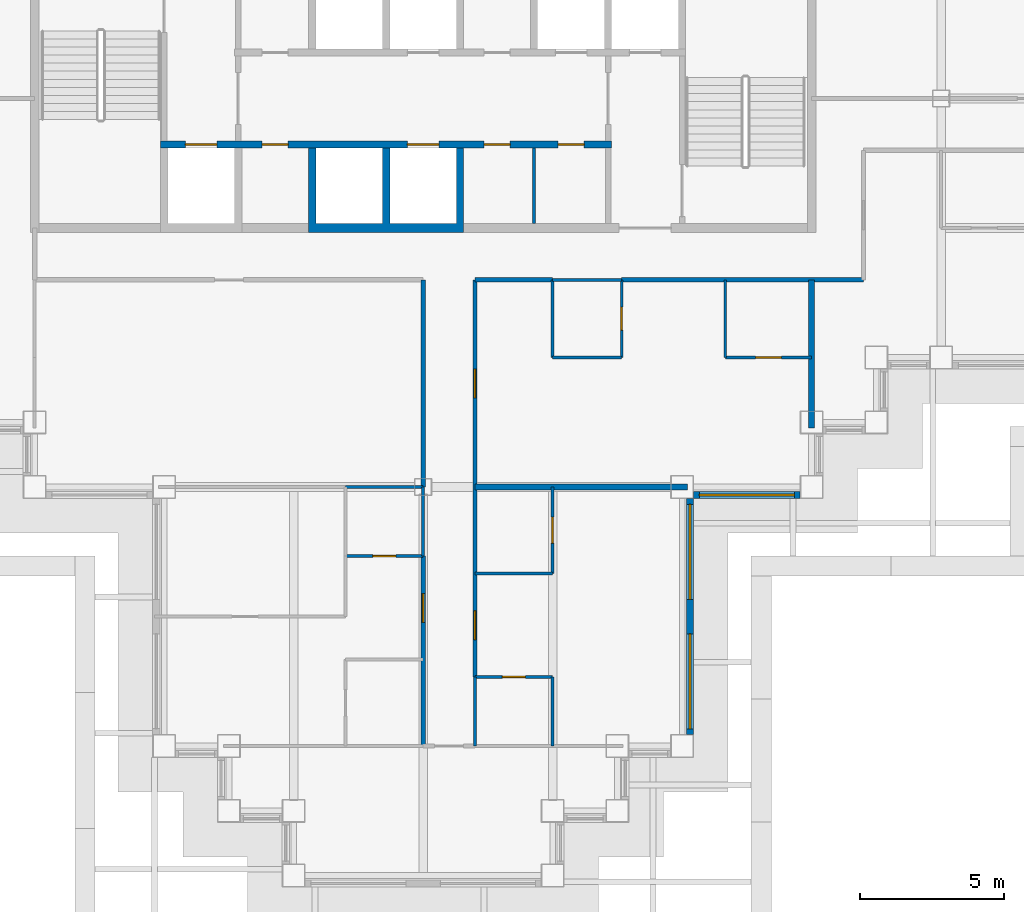
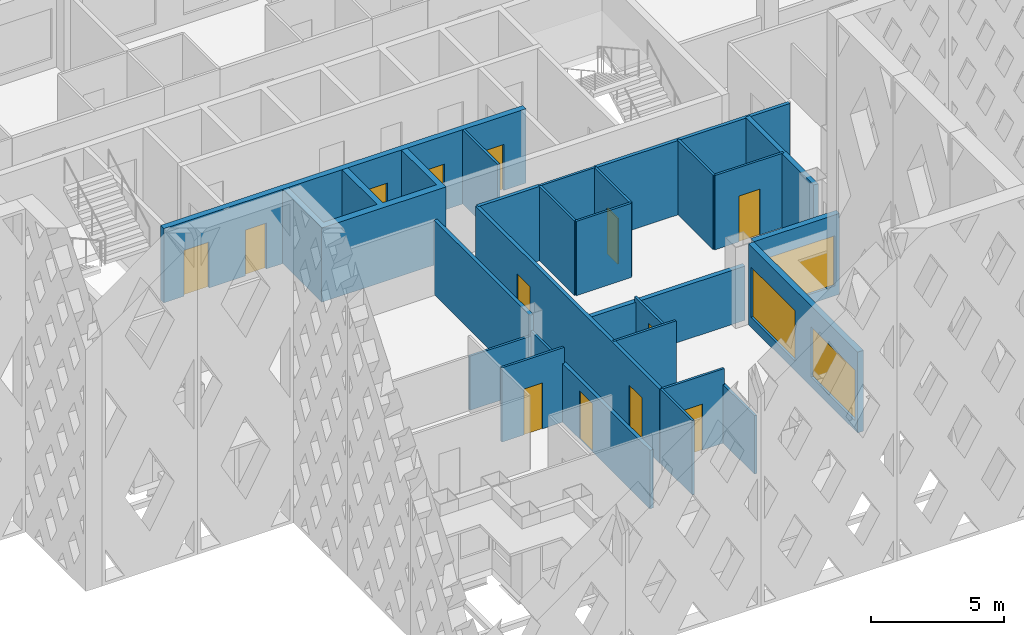
# One storey, part 5 of 19: 26 walls, 13 doors, 3 windows, 16 openings.
"""IFC4 building model written with IfcOpenShell, lengths in metres."""

from ifc_helpers import new_model, si_unit, direction, frame, frame_2d, origin, place, context, subcontext, project, spatial, polyline, rectangle, outline, extrude, material, layer, layer_set, type_object, element, fill, save


model = new_model("IFC4")

# Units and contexts
model_context = context("Model", 3, precision=1e-05, world=origin(), true_north=direction((0.0, 1.0)))
body_context = subcontext(model_context, "Body", "Model", "MODEL_VIEW")
ifc_project = project(units=[si_unit("LENGTHUNIT", "METRE"), si_unit("AREAUNIT", "SQUARE_METRE"), si_unit("VOLUMEUNIT", "CUBIC_METRE"), si_unit("PLANEANGLEUNIT", "RADIAN"), si_unit("MASSUNIT", "GRAM", prefix="KILO")], contexts=[model_context])

# Site, building, storey
site_placement = place(None, origin())
site = spatial("IfcSite", under=ifc_project, at=site_placement, CompositionType="ELEMENT")
building_placement = place(site_placement, origin())
building = spatial("IfcBuilding", under=site, at=building_placement, Name="Caravel Reach Hotel and Residences", CompositionType="ELEMENT")
storey_placement = place(building_placement, frame((0.0, 0.0, 150.60009765625)))
storey = spatial("IfcBuildingStorey", under=building, at=storey_placement, Name="L37", CompositionType="ELEMENT", Elevation=150.60009765625)

# Wall, opening, door
ifc_material_1 = material(Name="Gypsum board on steel stud", Category="steel")
ifc_layer_1 = layer(ifc_material_1, 0.10009765625)
ifc_layer_set_1 = layer_set([ifc_layer_1], Name="Bathroom pod wall 100 mm")
wall_type_1 = type_object("IfcWallType", Name="Bathroom pod wall 100 mm", PredefinedType="PARTITIONING", material=ifc_layer_set_1)
wall_1_placement = place(storey_placement, frame((28.800048828125, 11.10009765625, 0.0), z_axis=(0.0, 0.0, 1.0), x_axis=(1.0, 0.0, 0.0)))
wall_1 = element("IfcWall", 1, at=wall_1_placement, inside=storey, type_object=wall_type_1, Name="L37 wall w080", PredefinedType="PARTITIONING", context=body_context, shape_type="SweptSolid", body=[
    extrude(rectangle(XDim=2.699951171875, YDim=0.10009765625, at=frame_2d((1.35009765625, 0.0))), origin(), (0.0, 0.0, 1.0), 3.39990234375),
])
opening_1_placement = place(wall_1_placement, frame((0.949951171875, 0.0, 0.0)))
opening_1 = element("IfcOpeningElement", 2, at=opening_1_placement, cuts=wall_1, Name="Opening D37-041", PredefinedType="OPENING", context=body_context, shape_type="SweptSolid", body=[
    extrude(rectangle(XDim=0.800048828125, YDim=2.10009765625, at=frame_2d((0.39990234375, 1.050048828125))), frame((0.0, 0.06005859375, 0.0), z_axis=(0.0, -1.0, 0.0), x_axis=(1.0, 0.0, 0.0)), (0.0, 0.0, 1.0), 0.1201171875),
])
ifc_material_2 = material(Name="Timber and steel door leaf", Category="steel")
door_type_1 = type_object("IfcDoorType", Name="Bathroom door 800 x 2100", OperationType="SINGLE_SWING_LEFT", PredefinedType="DOOR", material=ifc_material_2)
door_1_placement = place(opening_1_placement, origin())
door_1 = element("IfcDoor", 3, at=door_1_placement, inside=storey, type_object=door_type_1, Name="door D37-041", OperationType="SINGLE_SWING_LEFT", OverallHeight=2.10009765625, OverallWidth=0.800048828125, PredefinedType="DOOR", context=body_context, shape_type="SweptSolid", body=[
    extrude(rectangle(XDim=0.800048828125, YDim=2.10009765625, at=frame_2d((0.39990234375, 1.050048828125))), frame((0.0, 0.02490234375, 0.0), z_axis=(0.0, -1.0, 0.0), x_axis=(1.0, 0.0, 0.0)), (0.0, 0.0, 1.0), 0.050048828125),
])
fill(opening_1, door_1)

# Walls
wall_2_placement = place(storey_placement, frame((28.800048828125, 13.5, 0.0), z_axis=(0.0, 0.0, 1.0), x_axis=(1.0, 0.0, 0.0)))
element("IfcWall", 4, at=wall_2_placement, inside=storey, type_object=wall_type_1, Name="L37 wall w081", PredefinedType="PARTITIONING", context=body_context, shape_type="SweptSolid", body=[
    extrude(rectangle(XDim=2.699951171875, YDim=0.10009765625, at=frame_2d((1.35009765625, 0.0))), origin(), (0.0, 0.0, 1.0), 2.47998046875),
])
for number, where, z_axis, x_axis, name in (
    (5, (36.0, 18.0, 0.0), (0.0, 0.0, 1.0), (1.0, 0.0, 0.0), "L37 wall w082"),
    (6, (36.0, 20.699951171875, 0.0), (0.0, 0.0, 1.0), (1.0, 0.0, 0.0), "L37 wall w083"),
):
    element("IfcWall", number, at=place(storey_placement, frame(where, z_axis=z_axis, x_axis=x_axis)), inside=storey, type_object=wall_type_1, Name=name, PredefinedType="PARTITIONING", context=body_context, shape_type="SweptSolid", body=[
        extrude(rectangle(XDim=2.39990234375, YDim=0.10009765625, at=frame_2d((1.199951171875, 0.0))), origin(), (0.0, 0.0, 1.0), 3.39990234375),
    ])

# Wall, opening, door
wall_3_placement = place(storey_placement, frame((33.300048828125, 6.89990234375, 0.0), z_axis=(0.0, 0.0, 1.0), x_axis=(1.0, 0.0, 0.0)))
wall_3 = element("IfcWall", 7, at=wall_3_placement, inside=storey, type_object=wall_type_1, Name="L37 wall w096", PredefinedType="PARTITIONING", context=body_context, shape_type="SweptSolid", body=[
    extrude(rectangle(XDim=2.699951171875, YDim=0.10009765625, at=frame_2d((1.35009765625, 0.0))), origin(), (0.0, 0.0, 1.0), 3.39990234375),
])
opening_2_placement = place(wall_3_placement, frame((0.949951171875, 0.0, 0.0)))
opening_2 = element("IfcOpeningElement", 8, at=opening_2_placement, cuts=wall_3, Name="Opening D37-044", PredefinedType="OPENING", context=body_context, shape_type="SweptSolid", body=[
    extrude(rectangle(XDim=0.800048828125, YDim=2.10009765625, at=frame_2d((0.39990234375, 1.050048828125))), frame((0.0, 0.06005859375, 0.0), z_axis=(0.0, -1.0, 0.0), x_axis=(1.0, 0.0, 0.0)), (0.0, 0.0, 1.0), 0.1201171875),
])
door_2_placement = place(opening_2_placement, origin())
door_2 = element("IfcDoor", 9, at=door_2_placement, inside=storey, type_object=door_type_1, Name="door D37-044", OperationType="SINGLE_SWING_LEFT", OverallHeight=2.10009765625, OverallWidth=0.800048828125, PredefinedType="DOOR", context=body_context, shape_type="SweptSolid", body=[
    extrude(rectangle(XDim=0.800048828125, YDim=2.10009765625, at=frame_2d((0.39990234375, 1.050048828125))), frame((0.0, 0.02490234375, 0.0), z_axis=(0.0, -1.0, 0.0), x_axis=(1.0, 0.0, 0.0)), (0.0, 0.0, 1.0), 0.050048828125),
])
fill(opening_2, door_2)

# Walls
wall_4_placement = place(storey_placement, frame((31.5, 11.10009765625, 0.0), z_axis=(0.0, 0.0, 1.0), x_axis=(0.0, 1.0, 0.0)))
element("IfcWall", 10, at=wall_4_placement, inside=storey, type_object=wall_type_1, Name="L37 wall w103", PredefinedType="PARTITIONING", context=body_context, shape_type="SweptSolid", body=[
    extrude(rectangle(XDim=2.39990234375, YDim=0.10009765625, at=frame_2d((1.199951171875, 0.0))), origin(), (0.0, 0.0, 1.0), 2.679931640625),
])
wall_5_placement = place(storey_placement, frame((33.300048828125, 4.5, 0.0), z_axis=(0.0, 0.0, 1.0), x_axis=(0.0, 1.0, 0.0)))
element("IfcWall", 11, at=wall_5_placement, inside=storey, type_object=wall_type_1, Name="L37 wall w104", PredefinedType="PARTITIONING", context=body_context, shape_type="SweptSolid", body=[
    extrude(rectangle(XDim=2.39990234375, YDim=0.10009765625, at=frame_2d((1.199951171875, 0.0))), origin(), (0.0, 0.0, 1.0), 3.39990234375),
])
wall_6_placement = place(storey_placement, frame((36.0, 4.5, 0.0), z_axis=(0.0, 0.0, 1.0), x_axis=(0.0, 1.0, 0.0)))
element("IfcWall", 12, at=wall_6_placement, inside=storey, type_object=wall_type_1, Name="L37 wall w106", PredefinedType="PARTITIONING", context=body_context, shape_type="SweptSolid", body=[
    extrude(rectangle(XDim=2.39990234375, YDim=0.10009765625, at=frame_2d((1.199951171875, 0.0))), origin(), (0.0, 0.0, 1.0), 2.679931640625),
])
wall_7_placement = place(storey_placement, frame((36.0, 18.0, 0.0), z_axis=(0.0, 0.0, 1.0), x_axis=(0.0, 1.0, 0.0)))
element("IfcWall", 13, at=wall_7_placement, inside=storey, type_object=wall_type_1, Name="L37 wall w107", PredefinedType="PARTITIONING", context=body_context, shape_type="SweptSolid", body=[
    extrude(rectangle(XDim=2.698974609375, YDim=0.10009765625, at=frame_2d((1.349609375, 0.0))), origin(), (0.0, 0.0, 1.0), 3.39990234375),
])

# Wall, opening, door
wall_8_placement = place(storey_placement, frame((38.39990234375, 18.0, 0.0), z_axis=(0.0, 0.0, 1.0), x_axis=(0.0, 1.0, 0.0)))
wall_8 = element("IfcWall", 14, at=wall_8_placement, inside=storey, type_object=wall_type_1, Name="L37 wall w109", PredefinedType="PARTITIONING", context=body_context, shape_type="SweptSolid", body=[
    extrude(rectangle(XDim=2.699951171875, YDim=0.10009765625, at=frame_2d((1.35009765625, 0.0))), origin(), (0.0, 0.0, 1.0), 3.39990234375),
])
opening_3_placement = place(wall_8_placement, frame((0.949951171875, 0.0, 0.0)))
opening_3 = element("IfcOpeningElement", 15, at=opening_3_placement, cuts=wall_8, Name="Opening D37-037", PredefinedType="OPENING", context=body_context, shape_type="SweptSolid", body=[
    extrude(rectangle(XDim=0.800048828125, YDim=2.10009765625, at=frame_2d((0.39990234375, 1.050048828125))), frame((0.0, 0.06005859375, 0.0), z_axis=(0.0, -1.0, 0.0), x_axis=(1.0, 0.0, 0.0)), (0.0, 0.0, 1.0), 0.1201171875),
])
door_3_placement = place(opening_3_placement, origin())
door_3 = element("IfcDoor", 16, at=door_3_placement, inside=storey, type_object=door_type_1, Name="door D37-037", OperationType="SINGLE_SWING_RIGHT", OverallHeight=2.10009765625, OverallWidth=0.800048828125, PredefinedType="DOOR", context=body_context, shape_type="SweptSolid", body=[
    extrude(rectangle(XDim=0.800048828125, YDim=2.10009765625, at=frame_2d((0.39990234375, 1.050048828125))), frame((0.0, 0.02490234375, 0.0), z_axis=(0.0, -1.0, 0.0), x_axis=(1.0, 0.0, 0.0)), (0.0, 0.0, 1.0), 0.050048828125),
])
fill(opening_3, door_3)

# Walls
ifc_material_3 = material(Name="Gypsum board on steel stud, fire-rated", Category="steel")
ifc_layer_2 = layer(ifc_material_3, 0.14990234375)
ifc_layer_set_2 = layer_set([ifc_layer_2], Name="Corridor wall 150 mm EI 60")
wall_type_2 = type_object("IfcWallType", Name="Corridor wall 150 mm EI 60", PredefinedType="PARTITIONING", material=ifc_layer_set_2)
wall_9_placement = place(storey_placement, frame((33.301025390625, 20.699951171875, 0.0), z_axis=(0.0, 0.0, 1.0), x_axis=(1.0, 0.0, 0.0)))
element("IfcWall", 17, at=wall_9_placement, inside=storey, type_object=wall_type_2, Name="L37 wall w002", PredefinedType="PARTITIONING", context=body_context, shape_type="SweptSolid", body=[
    extrude(rectangle(XDim=2.697998046875, YDim=0.14990234375, at=frame_2d((1.34912109375, 0.0))), origin(), (0.0, 0.0, 1.0), 3.39990234375),
])
wall_10_placement = place(storey_placement, frame((38.39990234375, 20.699951171875, 0.0), z_axis=(0.0, 0.0, 1.0), x_axis=(1.0, 0.0, 0.0)))
element("IfcWall", 18, at=wall_10_placement, inside=storey, type_object=wall_type_2, Name="L37 wall w003", PredefinedType="PARTITIONING", context=body_context, shape_type="SweptSolid", body=[
    extrude(rectangle(XDim=8.400146484375, YDim=0.14990234375, at=frame_2d((4.2001953125, 0.0))), origin(), (0.0, 0.0, 1.0), 3.39990234375),
])

# Wall, opening, door
wall_11_placement = place(storey_placement, frame((31.5, 4.5, 0.0), z_axis=(0.0, 0.0, 1.0), x_axis=(0.0, 1.0, 0.0)))
wall_11 = element("IfcWall", 19, at=wall_11_placement, inside=storey, type_object=wall_type_2, Name="L37 wall w025", PredefinedType="PARTITIONING", context=body_context, shape_type="SweptSolid", body=[
    extrude(rectangle(XDim=6.60009765625, YDim=0.14990234375, at=frame_2d((3.300048828125, 0.0))), origin(), (0.0, 0.0, 1.0), 2.679931640625),
])
opening_4_placement = place(wall_11_placement, frame((4.300048828125, 0.0, 0.0)))
opening_4 = element("IfcOpeningElement", 20, at=opening_4_placement, cuts=wall_11, Name="Opening D37-039", PredefinedType="OPENING", context=body_context, shape_type="SweptSolid", body=[
    extrude(rectangle(XDim=1.0, YDim=2.199951171875, at=frame_2d((0.5, 1.10009765625))), frame((0.0, 0.0849609375, 0.0), z_axis=(0.0, -1.0, 0.0), x_axis=(1.0, 0.0, 0.0)), (0.0, 0.0, 1.0), 0.169921875),
])
ifc_material_4 = material(Name="Steel fire door leaf", Category="steel")
door_type_2 = type_object("IfcDoorType", Name="Flat entrance door 1000 x 2200 EI 60", OperationType="SINGLE_SWING_LEFT", PredefinedType="DOOR", material=ifc_material_4)
door_4_placement = place(opening_4_placement, origin())
door_4 = element("IfcDoor", 21, at=door_4_placement, inside=storey, type_object=door_type_2, Name="door D37-039", OperationType="SINGLE_SWING_LEFT", OverallHeight=2.199951171875, OverallWidth=1.0, PredefinedType="DOOR", context=body_context, shape_type="SweptSolid", body=[
    extrude(rectangle(XDim=1.0, YDim=2.199951171875, at=frame_2d((0.5, 1.10009765625))), frame((0.0, 0.02490234375, 0.0), z_axis=(0.0, -1.0, 0.0), x_axis=(1.0, 0.0, 0.0)), (0.0, 0.0, 1.0), 0.050048828125),
])
fill(opening_4, door_4)

# Wall
wall_12_placement = place(storey_placement, frame((31.5, 13.5, 0.0), z_axis=(0.0, 0.0, 1.0), x_axis=(0.0, 1.0, 0.0)))
element("IfcWall", 22, at=wall_12_placement, inside=storey, type_object=wall_type_2, Name="L37 wall w026", PredefinedType="PARTITIONING", context=body_context, shape_type="SweptSolid", body=[
    extrude(rectangle(XDim=7.199951171875, YDim=0.14990234375, at=frame_2d((3.60009765625, 0.0))), origin(), (0.0, 0.0, 1.0), 3.39990234375),
])

# Wall, openings, doors
wall_13_placement = place(storey_placement, frame((33.300048828125, 6.89990234375, 0.0), z_axis=(0.0, 0.0, 1.0), x_axis=(0.0, 1.0, 0.0)))
wall_13 = element("IfcWall", 23, at=wall_13_placement, inside=storey, type_object=wall_type_2, Name="L37 wall w027", PredefinedType="PARTITIONING", context=body_context, shape_type="SweptSolid", body=[
    extrude(rectangle(XDim=13.799072265625, YDim=0.14990234375, at=frame_2d((6.8994140625, 0.0))), origin(), (0.0, 0.0, 1.0), 3.39990234375),
])
opening_5_placement = place(wall_13_placement, frame((9.69921875, 0.0, 0.0)))
opening_5 = element("IfcOpeningElement", 24, at=opening_5_placement, cuts=wall_13, Name="Opening D37-036", PredefinedType="OPENING", context=body_context, shape_type="SweptSolid", body=[
    extrude(rectangle(XDim=1.0, YDim=2.199951171875, at=frame_2d((0.5, 1.10009765625))), frame((0.0, 0.0849609375, 0.0), z_axis=(0.0, -1.0, 0.0), x_axis=(1.0, 0.0, 0.0)), (0.0, 0.0, 1.0), 0.169921875),
])
opening_6_placement = place(wall_13_placement, frame((1.300048828125, 0.0, 0.0)))
opening_6 = element("IfcOpeningElement", 25, at=opening_6_placement, cuts=wall_13, Name="Opening D37-043", PredefinedType="OPENING", context=body_context, shape_type="SweptSolid", body=[
    extrude(rectangle(XDim=1.0, YDim=2.199951171875, at=frame_2d((0.5, 1.10009765625))), frame((0.0, 0.0849609375, 0.0), z_axis=(0.0, -1.0, 0.0), x_axis=(1.0, 0.0, 0.0)), (0.0, 0.0, 1.0), 0.169921875),
])
door_5_placement = place(opening_5_placement, origin())
door_5 = element("IfcDoor", 26, at=door_5_placement, inside=storey, type_object=door_type_2, Name="door D37-036", OperationType="SINGLE_SWING_RIGHT", OverallHeight=2.199951171875, OverallWidth=1.0, PredefinedType="DOOR", context=body_context, shape_type="SweptSolid", body=[
    extrude(rectangle(XDim=1.0, YDim=2.199951171875, at=frame_2d((0.5, 1.10009765625))), frame((0.0, 0.02490234375, 0.0), z_axis=(0.0, -1.0, 0.0), x_axis=(1.0, 0.0, 0.0)), (0.0, 0.0, 1.0), 0.050048828125),
])
fill(opening_5, door_5)
door_6_placement = place(opening_6_placement, origin())
door_6 = element("IfcDoor", 27, at=door_6_placement, inside=storey, type_object=door_type_2, Name="door D37-043", OperationType="SINGLE_SWING_LEFT", OverallHeight=2.199951171875, OverallWidth=1.0, PredefinedType="DOOR", context=body_context, shape_type="SweptSolid", body=[
    extrude(rectangle(XDim=1.0, YDim=2.199951171875, at=frame_2d((0.5, 1.10009765625))), frame((0.0, 0.02490234375, 0.0), z_axis=(0.0, -1.0, 0.0), x_axis=(1.0, 0.0, 0.0)), (0.0, 0.0, 1.0), 0.050048828125),
])
fill(opening_6, door_6)

# Wall, openings, windows
ifc_material_5 = material(Name="Insulated rainscreen wall, aluminium cladding", Category="aluminium")
ifc_layer_3 = layer(ifc_material_5, 0.25)
ifc_layer_set_3 = layer_set([ifc_layer_3], Name="EW1 Tower rainscreen wall")
wall_type_3 = type_object("IfcWallType", Name="EW1 Tower rainscreen wall", PredefinedType="SOLIDWALL", material=ifc_layer_set_3)
wall_14_placement = place(storey_placement, frame((40.77490234375, 4.89990234375, 0.0), z_axis=(0.0, 0.0, 1.0), x_axis=(0.0, 1.0, 0.0)))
wall_14 = element("IfcWall", 28, at=wall_14_placement, inside=storey, type_object=wall_type_3, Name="External wall L37 E10.1", PredefinedType="SOLIDWALL", context=body_context, shape_type="SweptSolid", body=[
    extrude(rectangle(XDim=8.2001953125, YDim=0.25, at=frame_2d((4.10009765625, 0.0))), origin(), (0.0, 0.0, 1.0), 3.699951171875),
])
opening_7_placement = place(wall_14_placement, frame((0.199951171875, 0.0, 0.449951171875)))
opening_7 = element("IfcOpeningElement", 29, at=opening_7_placement, cuts=wall_14, Name="Opening WN15", PredefinedType="OPENING", context=body_context, shape_type="SweptSolid", body=[
    extrude(rectangle(XDim=3.300048828125, YDim=2.300048828125, at=frame_2d((1.64990234375, 1.14990234375))), frame((0.0, 0.135009765625, 0.0), z_axis=(0.0, -1.0, 0.0), x_axis=(1.0, 0.0, 0.0)), (0.0, 0.0, 1.0), 0.27001953125),
])
opening_8_placement = place(wall_14_placement, frame((4.699951171875, 0.0, 0.449951171875)))
opening_8 = element("IfcOpeningElement", 30, at=opening_8_placement, cuts=wall_14, Name="Opening WN15", PredefinedType="OPENING", context=body_context, shape_type="SweptSolid", body=[
    extrude(rectangle(XDim=3.300048828125, YDim=2.300048828125, at=frame_2d((1.64990234375, 1.14990234375))), frame((0.0, 0.135009765625, 0.0), z_axis=(0.0, -1.0, 0.0), x_axis=(1.0, 0.0, 0.0)), (0.0, 0.0, 1.0), 0.27001953125),
])
ifc_material_6 = material(Name="Dark low-e glazing in black aluminium frame", Category="aluminium")
window_type = type_object("IfcWindowType", Name="Residence living window 3300 x 2300", PartitioningType="SINGLE_PANEL", PredefinedType="WINDOW", material=ifc_material_6)
window_1_placement = place(opening_7_placement, origin())
window_1 = element("IfcWindow", 31, at=window_1_placement, inside=storey, type_object=window_type, Name="Window L37 E10.1.1", OverallHeight=2.300048828125, OverallWidth=3.300048828125, PartitioningType="SINGLE_PANEL", PredefinedType="WINDOW", context=body_context, shape_type="SweptSolid", body=[
    extrude(rectangle(XDim=3.300048828125, YDim=2.300048828125, at=frame_2d((1.64990234375, 1.14990234375))), frame((0.0, 0.030029296875, 0.0), z_axis=(0.0, -1.0, 0.0), x_axis=(1.0, 0.0, 0.0)), (0.0, 0.0, 1.0), 0.06005859375),
])
fill(opening_7, window_1)
window_2_placement = place(opening_8_placement, origin())
window_2 = element("IfcWindow", 32, at=window_2_placement, inside=storey, type_object=window_type, Name="Window L37 E10.1.2", OverallHeight=2.300048828125, OverallWidth=3.300048828125, PartitioningType="SINGLE_PANEL", PredefinedType="WINDOW", context=body_context, shape_type="SweptSolid", body=[
    extrude(rectangle(XDim=3.300048828125, YDim=2.300048828125, at=frame_2d((1.64990234375, 1.14990234375))), frame((0.0, 0.030029296875, 0.0), z_axis=(0.0, -1.0, 0.0), x_axis=(1.0, 0.0, 0.0)), (0.0, 0.0, 1.0), 0.06005859375),
])
fill(opening_8, window_2)

# Wall, opening, window
wall_15_placement = place(storey_placement, frame((40.89990234375, 13.22509765625, 0.0), z_axis=(0.0, 0.0, 1.0), x_axis=(1.0, 0.0, 0.0)))
wall_15 = element("IfcWall", 33, at=wall_15_placement, inside=storey, type_object=wall_type_3, Name="External wall L37 S11.1", PredefinedType="SOLIDWALL", context=body_context, shape_type="SweptSolid", body=[
    extrude(rectangle(XDim=3.7001953125, YDim=0.25, at=frame_2d((1.85009765625, 0.0))), origin(), (0.0, 0.0, 1.0), 3.699951171875),
])
opening_9_placement = place(wall_15_placement, frame((0.199951171875, 0.0, 0.449951171875)))
opening_9 = element("IfcOpeningElement", 34, at=opening_9_placement, cuts=wall_15, Name="Opening WN15", PredefinedType="OPENING", context=body_context, shape_type="SweptSolid", body=[
    extrude(rectangle(XDim=3.300048828125, YDim=2.300048828125, at=frame_2d((1.64990234375, 1.14990234375))), frame((0.0, 0.135009765625, 0.0), z_axis=(0.0, -1.0, 0.0), x_axis=(1.0, 0.0, 0.0)), (0.0, 0.0, 1.0), 0.27001953125),
])
window_3_placement = place(opening_9_placement, origin())
window_3 = element("IfcWindow", 35, at=window_3_placement, inside=storey, type_object=window_type, Name="Window L37 S11.1.1", OverallHeight=2.300048828125, OverallWidth=3.300048828125, PartitioningType="SINGLE_PANEL", PredefinedType="WINDOW", context=body_context, shape_type="SweptSolid", body=[
    extrude(rectangle(XDim=3.300048828125, YDim=2.300048828125, at=frame_2d((1.64990234375, 1.14990234375))), frame((0.0, 0.030029296875, 0.0), z_axis=(0.0, -1.0, 0.0), x_axis=(1.0, 0.0, 0.0)), (0.0, 0.0, 1.0), 0.06005859375),
])
fill(opening_9, window_3)

# Walls
ifc_material_7 = material(Name="Gypsum board on steel stud", Category="steel")
ifc_layer_4 = layer(ifc_material_7, 0.10009765625)
ifc_layer_set_4 = layer_set([ifc_layer_4], Name="Partition 100 mm")
wall_type_4 = type_object("IfcWallType", Name="Partition 100 mm", PredefinedType="PARTITIONING", material=ifc_layer_set_4)
wall_16_placement = place(storey_placement, frame((35.357177734375, 22.64990234375, 0.0), z_axis=(0.0, 0.0, 1.0), x_axis=(0.0, 1.0, 0.0)))
element("IfcWall", 36, at=wall_16_placement, inside=storey, type_object=wall_type_4, Name="L37 store partition", PredefinedType="PARTITIONING", context=body_context, shape_type="SweptSolid", body=[
    extrude(rectangle(XDim=2.625, YDim=0.10009765625, at=frame_2d((1.3125, 0.0))), origin(), (0.0, 0.0, 1.0), 3.39990234375),
])
wall_17_placement = place(storey_placement, frame((33.300048828125, 10.5, 0.0), z_axis=(0.0, 0.0, 1.0), x_axis=(1.0, 0.0, 0.0)))
element("IfcWall", 37, at=wall_17_placement, inside=storey, type_object=wall_type_4, Name="L37 wall w034", PredefinedType="PARTITIONING", context=body_context, shape_type="SweptSolid", body=[
    extrude(rectangle(XDim=2.699951171875, YDim=0.10009765625, at=frame_2d((1.35009765625, 0.0))), origin(), (0.0, 0.0, 1.0), 3.39990234375),
])

# Wall, opening, door
wall_18_placement = place(storey_placement, frame((42.0, 18.0, 0.0), z_axis=(0.0, 0.0, 1.0), x_axis=(1.0, 0.0, 0.0)))
wall_18 = element("IfcWall", 38, at=wall_18_placement, inside=storey, type_object=wall_type_4, Name="L37 wall w036", PredefinedType="PARTITIONING", context=body_context, shape_type="SweptSolid", body=[
    extrude(rectangle(XDim=3.0, YDim=0.10009765625, at=frame_2d((1.5, 0.0))), origin(), (0.0, 0.0, 1.0), 3.39990234375),
])
opening_10_placement = place(wall_18_placement, frame((1.050048828125, 0.0, 0.0)))
opening_10 = element("IfcOpeningElement", 39, at=opening_10_placement, cuts=wall_18, Name="Opening D37-038", PredefinedType="OPENING", context=body_context, shape_type="SweptSolid", body=[
    extrude(rectangle(XDim=0.89990234375, YDim=2.10009765625, at=frame_2d((0.449951171875, 1.050048828125))), frame((0.0, 0.06005859375, 0.0), z_axis=(0.0, -1.0, 0.0), x_axis=(1.0, 0.0, 0.0)), (0.0, 0.0, 1.0), 0.1201171875),
])
ifc_material_8 = material(Name="Timber and steel door leaf", Category="steel")
door_type_3 = type_object("IfcDoorType", Name="Door 900 x 2100 timber", OperationType="SINGLE_SWING_LEFT", PredefinedType="DOOR", material=ifc_material_8)
door_7_placement = place(opening_10_placement, origin())
door_7 = element("IfcDoor", 40, at=door_7_placement, inside=storey, type_object=door_type_3, Name="door D37-038", OperationType="SINGLE_SWING_RIGHT", OverallHeight=2.10009765625, OverallWidth=0.89990234375, PredefinedType="DOOR", context=body_context, shape_type="SweptSolid", body=[
    extrude(rectangle(XDim=0.89990234375, YDim=2.10009765625, at=frame_2d((0.449951171875, 1.050048828125))), frame((0.0, 0.02490234375, 0.0), z_axis=(0.0, -1.0, 0.0), x_axis=(1.0, 0.0, 0.0)), (0.0, 0.0, 1.0), 0.050048828125),
])
fill(opening_10, door_7)

wall_19_placement = place(storey_placement, frame((36.0, 10.5, 0.0), z_axis=(0.0, 0.0, 1.0), x_axis=(0.0, 1.0, 0.0)))
wall_19 = element("IfcWall", 41, at=wall_19_placement, inside=storey, type_object=wall_type_4, Name="L37 wall w062", PredefinedType="PARTITIONING", context=body_context, shape_type="SweptSolid", body=[
    extrude(rectangle(XDim=3.0, YDim=0.10009765625, at=frame_2d((1.5, 0.0))), origin(), (0.0, 0.0, 1.0), 2.679931640625),
])
opening_11_placement = place(wall_19_placement, frame((1.050048828125, 0.0, 0.0)))
opening_11 = element("IfcOpeningElement", 42, at=opening_11_placement, cuts=wall_19, Name="Opening D37-045", PredefinedType="OPENING", context=body_context, shape_type="SweptSolid", body=[
    extrude(rectangle(XDim=0.89990234375, YDim=2.10009765625, at=frame_2d((0.449951171875, 1.050048828125))), frame((0.0, 0.06005859375, 0.0), z_axis=(0.0, -1.0, 0.0), x_axis=(1.0, 0.0, 0.0)), (0.0, 0.0, 1.0), 0.1201171875),
])
door_8_placement = place(opening_11_placement, origin())
door_8 = element("IfcDoor", 43, at=door_8_placement, inside=storey, type_object=door_type_3, Name="door D37-045", OperationType="SINGLE_SWING_RIGHT", OverallHeight=2.10009765625, OverallWidth=0.89990234375, PredefinedType="DOOR", context=body_context, shape_type="SweptSolid", body=[
    extrude(rectangle(XDim=0.89990234375, YDim=2.10009765625, at=frame_2d((0.449951171875, 1.050048828125))), frame((0.0, 0.02490234375, 0.0), z_axis=(0.0, -1.0, 0.0), x_axis=(1.0, 0.0, 0.0)), (0.0, 0.0, 1.0), 0.050048828125),
])
fill(opening_11, door_8)

# Walls
wall_20_placement = place(storey_placement, frame((42.0, 18.0, 0.0), z_axis=(0.0, 0.0, 1.0), x_axis=(0.0, 1.0, 0.0)))
element("IfcWall", 44, at=wall_20_placement, inside=storey, type_object=wall_type_4, Name="L37 wall w065", PredefinedType="PARTITIONING", context=body_context, shape_type="SweptSolid", body=[
    extrude(rectangle(XDim=2.699951171875, YDim=0.10009765625, at=frame_2d((1.35009765625, 0.0))), origin(), (0.0, 0.0, 1.0), 3.39990234375),
])
ifc_material_9 = material(Name="Autoclaved aerated block wall")
ifc_layer_5 = layer(ifc_material_9, 0.199951171875)
ifc_layer_set_5 = layer_set([ifc_layer_5], Name="Party wall 200 mm EI 60")
wall_type_5 = type_object("IfcWallType", Name="Party wall 200 mm EI 60", PredefinedType="PARTITIONING", material=ifc_layer_set_5)
wall_21_placement = place(storey_placement, frame((33.301025390625, 13.5, 0.0), z_axis=(0.0, 0.0, 1.0), x_axis=(1.0, 0.0, 0.0)))
element("IfcWall", 45, at=wall_21_placement, inside=storey, type_object=wall_type_5, Name="L37 wall w073", PredefinedType="PARTITIONING", context=body_context, shape_type="SweptSolid", body=[
    extrude(rectangle(XDim=7.388916015625, YDim=0.199951171875, at=frame_2d((3.6943359375, 0.0))), origin(), (0.0, 0.0, 1.0), 2.47998046875),
])
wall_22_placement = place(storey_placement, frame((45.0, 15.56005859375, 0.0), z_axis=(0.0, 0.0, 1.0), x_axis=(0.0, 1.0, 0.0)))
element("IfcWall", 46, at=wall_22_placement, inside=storey, type_object=wall_type_5, Name="L37 wall w078", PredefinedType="PARTITIONING", context=body_context, shape_type="SweptSolid", body=[
    extrude(rectangle(XDim=5.138916015625, YDim=0.199951171875, at=frame_2d((2.5693359375, 0.0))), origin(), (0.0, 0.0, 1.0), 3.39990234375),
])
ifc_material_10 = material(Name="Concrete C60", Category="concrete")
ifc_layer_6 = layer(ifc_material_10, 0.25)
ifc_layer_set_6 = layer_set([ifc_layer_6], Name="Shaft wall 250 mm EI 120")
wall_type_6 = type_object("IfcWallType", Name="Shaft wall 250 mm EI 120", PredefinedType="SHEAR", material=ifc_layer_set_6)
wall_23_placement = place(storey_placement, origin())
element("IfcWall", 47, at=wall_23_placement, inside=storey, type_object=wall_type_6, Name="L37 lift shaft wall S2", PredefinedType="SHEAR", context=body_context, shape_type="SweptSolid", body=[
    extrude(outline(polyline([(27.517822265625, 22.35009765625), (32.91064453125, 22.35009765625), (32.91064453125, 25.27490234375), (32.66064453125, 25.27490234375), (32.66064453125, 22.64990234375), (30.33935546875, 22.64990234375), (30.33935546875, 25.27490234375), (30.08935546875, 25.27490234375), (30.08935546875, 22.64990234375), (27.767822265625, 22.64990234375), (27.767822265625, 25.27490234375), (27.517822265625, 25.27490234375), (27.517822265625, 22.35009765625)])), origin(), (0.0, 0.0, 1.0), 3.39990234375),
])

# Wall, openings, doors
wall_24_placement = place(storey_placement, frame((22.375, 25.39990234375, 0.0), z_axis=(0.0, 0.0, 1.0), x_axis=(1.0, 0.0, 0.0)))
wall_24 = element("IfcWall", 48, at=wall_24_placement, inside=storey, type_object=wall_type_6, Name="L37 lobby wall S1", PredefinedType="SHEAR", context=body_context, shape_type="SweptSolid", body=[
    extrude(rectangle(XDim=15.678466796875, YDim=0.25, at=frame_2d((7.83935546875, 0.0))), origin(), (0.0, 0.0, 1.0), 3.39990234375),
])
opening_12_placement = place(wall_24_placement, frame((8.574951171875, 0.0, 0.0)))
opening_12 = element("IfcOpeningElement", 49, at=opening_12_placement, cuts=wall_24, Name="Opening D37-001", PredefinedType="OPENING", context=body_context, shape_type="SweptSolid", body=[
    extrude(rectangle(XDim=1.10009765625, YDim=2.10009765625, at=frame_2d((0.550048828125, 1.050048828125))), frame((0.0, 0.135009765625, 0.0), z_axis=(0.0, -1.0, 0.0), x_axis=(1.0, 0.0, 0.0)), (0.0, 0.0, 1.0), 0.27001953125),
])
opening_13_placement = place(wall_24_placement, frame((0.860595703125, 0.0, 0.0)))
opening_13 = element("IfcOpeningElement", 50, at=opening_13_placement, cuts=wall_24, Name="Opening D37-004", PredefinedType="OPENING", context=body_context, shape_type="SweptSolid", body=[
    extrude(rectangle(XDim=1.10009765625, YDim=2.10009765625, at=frame_2d((0.550048828125, 1.050048828125))), frame((0.0, 0.135009765625, 0.0), z_axis=(0.0, -1.0, 0.0), x_axis=(1.0, 0.0, 0.0)), (0.0, 0.0, 1.0), 0.27001953125),
])
opening_14_placement = place(wall_24_placement, frame((3.531982421875, 0.0, 0.0)))
opening_14 = element("IfcOpeningElement", 51, at=opening_14_placement, cuts=wall_24, Name="Opening D37-006", PredefinedType="OPENING", context=body_context, shape_type="SweptSolid", body=[
    extrude(rectangle(XDim=0.89990234375, YDim=2.10009765625, at=frame_2d((0.449951171875, 1.050048828125))), frame((0.0, 0.135009765625, 0.0), z_axis=(0.0, -1.0, 0.0), x_axis=(1.0, 0.0, 0.0)), (0.0, 0.0, 1.0), 0.27001953125),
])
opening_15_placement = place(wall_24_placement, frame((11.246337890625, 0.0, 0.0)))
opening_15 = element("IfcOpeningElement", 52, at=opening_15_placement, cuts=wall_24, Name="Opening D37-007", PredefinedType="OPENING", context=body_context, shape_type="SweptSolid", body=[
    extrude(rectangle(XDim=0.89990234375, YDim=2.10009765625, at=frame_2d((0.449951171875, 1.050048828125))), frame((0.0, 0.135009765625, 0.0), z_axis=(0.0, -1.0, 0.0), x_axis=(1.0, 0.0, 0.0)), (0.0, 0.0, 1.0), 0.27001953125),
])
opening_16_placement = place(wall_24_placement, frame((13.81787109375, 0.0, 0.0)))
opening_16 = element("IfcOpeningElement", 53, at=opening_16_placement, cuts=wall_24, Name="Opening D37-008", PredefinedType="OPENING", context=body_context, shape_type="SweptSolid", body=[
    extrude(rectangle(XDim=0.89990234375, YDim=2.10009765625, at=frame_2d((0.449951171875, 1.050048828125))), frame((0.0, 0.135009765625, 0.0), z_axis=(0.0, -1.0, 0.0), x_axis=(1.0, 0.0, 0.0)), (0.0, 0.0, 1.0), 0.27001953125),
])
ifc_material_11 = material(Name="Stainless steel landing door", Category="steel")
door_type_4 = type_object("IfcDoorType", Name="Landing door LD 1100 x 2100 sliding", OperationType="DOUBLE_DOOR_SLIDING", PredefinedType="DOOR", material=ifc_material_11)
door_9_placement = place(opening_12_placement, origin())
door_9 = element("IfcDoor", 54, at=door_9_placement, inside=storey, type_object=door_type_4, Name="MP1 landing door", OperationType="DOUBLE_DOOR_SLIDING", OverallHeight=2.10009765625, OverallWidth=1.10009765625, PredefinedType="DOOR", context=body_context, shape_type="SweptSolid", body=[
    extrude(rectangle(XDim=1.10009765625, YDim=2.10009765625, at=frame_2d((0.550048828125, 1.050048828125))), frame((0.0, 0.02490234375, 0.0), z_axis=(0.0, -1.0, 0.0), x_axis=(1.0, 0.0, 0.0)), (0.0, 0.0, 1.0), 0.050048828125),
])
fill(opening_12, door_9)
door_10_placement = place(opening_13_placement, origin())
door_10 = element("IfcDoor", 55, at=door_10_placement, inside=storey, type_object=door_type_4, Name="FL1 landing door", OperationType="DOUBLE_DOOR_SLIDING", OverallHeight=2.10009765625, OverallWidth=1.10009765625, PredefinedType="DOOR", context=body_context, shape_type="SweptSolid", body=[
    extrude(rectangle(XDim=1.10009765625, YDim=2.10009765625, at=frame_2d((0.550048828125, 1.050048828125))), frame((0.0, 0.02490234375, 0.0), z_axis=(0.0, -1.0, 0.0), x_axis=(1.0, 0.0, 0.0)), (0.0, 0.0, 1.0), 0.050048828125),
])
fill(opening_13, door_10)
ifc_material_12 = material(Name="Steel fire door leaf", Category="steel")
door_type_5 = type_object("IfcDoorType", Name="Riser door 900 x 2100 EI 60", OperationType="SINGLE_SWING_LEFT", PredefinedType="DOOR", material=ifc_material_12)
door_11_placement = place(opening_14_placement, origin())
door_11 = element("IfcDoor", 56, at=door_11_placement, inside=storey, type_object=door_type_5, Name="Linen store door", OperationType="SINGLE_SWING_LEFT", OverallHeight=2.10009765625, OverallWidth=0.89990234375, PredefinedType="DOOR", context=body_context, shape_type="SweptSolid", body=[
    extrude(rectangle(XDim=0.89990234375, YDim=2.10009765625, at=frame_2d((0.449951171875, 1.050048828125))), frame((0.0, 0.02490234375, 0.0), z_axis=(0.0, -1.0, 0.0), x_axis=(1.0, 0.0, 0.0)), (0.0, 0.0, 1.0), 0.050048828125),
])
fill(opening_14, door_11)
door_12_placement = place(opening_15_placement, origin())
door_12 = element("IfcDoor", 57, at=door_12_placement, inside=storey, type_object=door_type_5, Name="Cleaners' room door", OperationType="SINGLE_SWING_LEFT", OverallHeight=2.10009765625, OverallWidth=0.89990234375, PredefinedType="DOOR", context=body_context, shape_type="SweptSolid", body=[
    extrude(rectangle(XDim=0.89990234375, YDim=2.10009765625, at=frame_2d((0.449951171875, 1.050048828125))), frame((0.0, 0.02490234375, 0.0), z_axis=(0.0, -1.0, 0.0), x_axis=(1.0, 0.0, 0.0)), (0.0, 0.0, 1.0), 0.050048828125),
])
fill(opening_15, door_12)
door_13_placement = place(opening_16_placement, origin())
door_13 = element("IfcDoor", 58, at=door_13_placement, inside=storey, type_object=door_type_5, Name="Electrical riser room door", OperationType="SINGLE_SWING_LEFT", OverallHeight=2.10009765625, OverallWidth=0.89990234375, PredefinedType="DOOR", context=body_context, shape_type="SweptSolid", body=[
    extrude(rectangle(XDim=0.89990234375, YDim=2.10009765625, at=frame_2d((0.449951171875, 1.050048828125))), frame((0.0, 0.02490234375, 0.0), z_axis=(0.0, -1.0, 0.0), x_axis=(1.0, 0.0, 0.0)), (0.0, 0.0, 1.0), 0.050048828125),
])
fill(opening_16, door_13)

save(model, "model.ifc")
